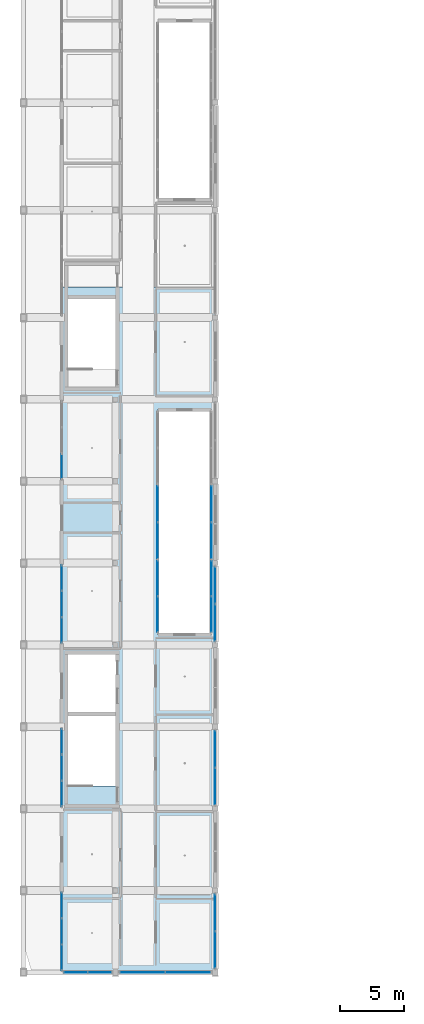
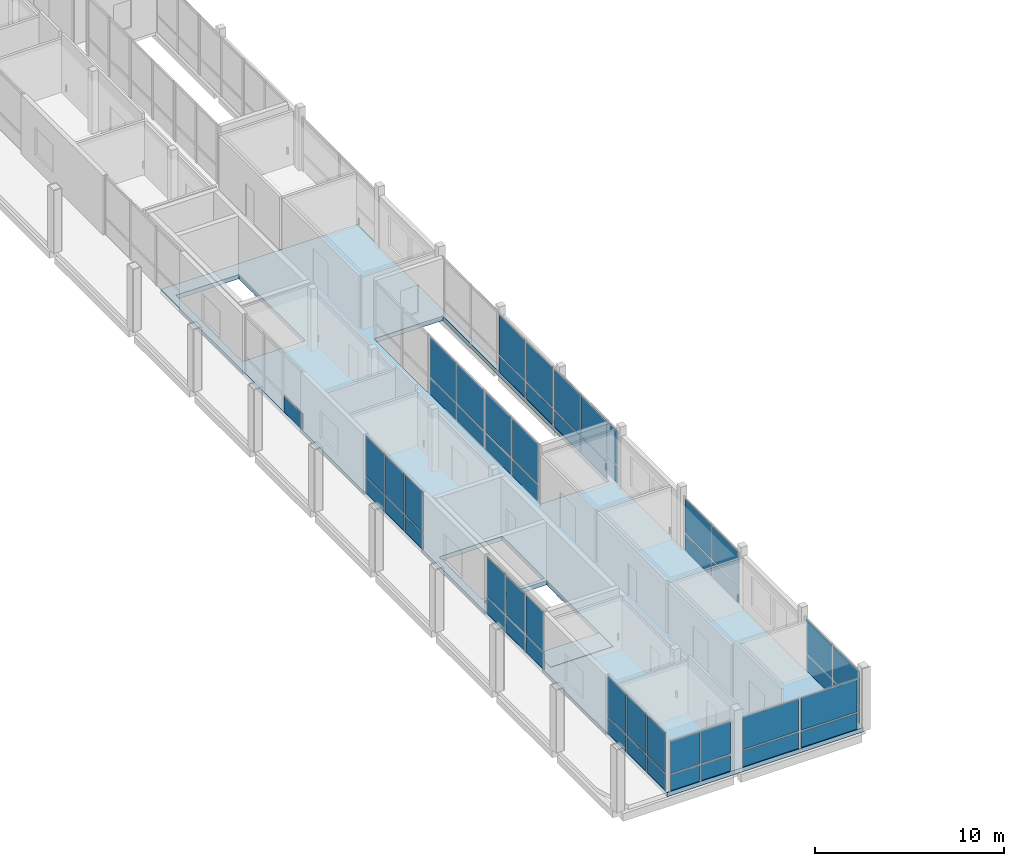
# One storey, part 7 of 24: 55 plates, 2 slabs, 13 elements without a shape of their own.
"""IFC4 building model written with IfcOpenShell, lengths in metres."""

from ifc_helpers import new_model, si_unit, derived_unit, direction, frame, origin, origin_2d, place, context, subcontext, project, spatial, polyline, rectangle, outline, extrude, material, layer, layer_set, type_object, element, aggregate, save


model = new_model("IFC4")

# Units and contexts
model_context = context("Model", 3, precision=1e-05, world=origin(), true_north=direction((0.0, 1.0)))
body_context = subcontext(model_context, "Body", "Model", "MODEL_VIEW")
ifc_project = project(units=[si_unit("LENGTHUNIT", "METRE"), si_unit("AREAUNIT", "SQUARE_METRE"), si_unit("VOLUMEUNIT", "CUBIC_METRE"), si_unit("PLANEANGLEUNIT", "RADIAN"), si_unit("MASSUNIT", "GRAM", prefix="KILO"), derived_unit("THERMALTRANSMITTANCEUNIT", [(si_unit("POWERUNIT", "WATT"), 1), (si_unit("LENGTHUNIT", "METRE"), -2), (si_unit("THERMODYNAMICTEMPERATUREUNIT", "KELVIN"), -1)])], contexts=[model_context])

# Site, building, storey
site_placement = place(None, origin())
site = spatial("IfcSite", under=ifc_project, at=site_placement, CompositionType="ELEMENT")
building_placement = place(site_placement, origin())
building = spatial("IfcBuilding", under=site, at=building_placement, Name="Braskholm Square Health Centre", CompositionType="ELEMENT")
storey_placement = place(building_placement, frame((0.0, 0.0, 21.60009765625)))
storey = spatial("IfcBuildingStorey", under=building, at=storey_placement, Name="L06", CompositionType="ELEMENT", Elevation=21.60009765625)

# Curtain wall, plates
ifc_material_1 = material(Name="Low-E triple insulating glass (VLT 0.64)", Category="glass")
curtain_wall_type_1 = type_object("IfcCurtainWallType", Name="UnitisedCurtainWall6200x3800", PredefinedType="NOTDEFINED", material=ifc_material_1)
curtain_wall_1_placement = place(storey_placement, origin())
curtain_wall_1 = element("IfcCurtainWall", 1, at=curtain_wall_1_placement, inside=storey, type_object=curtain_wall_type_1, Name="West Crown unitised curtain wall CW-L06-0038", PredefinedType="NOTDEFINED")
ifc_material_2 = material(Name="Architectural bronze anodised aluminium", Category="aluminium")
plate_type_1 = type_object("IfcPlateType", Name="CurtainPanelSpandrel1850x1020", PredefinedType="CURTAIN_PANEL", material=ifc_material_2)
plate_1_placement = place(storey_placement, frame((7.199951171875, 9.453369140625, 0.0498046875), z_axis=(0.0, 0.0, 1.0), x_axis=(0.0, -1.0, 0.0)))
plate_1 = element("IfcPlate", 2, at=plate_1_placement, type_object=plate_type_1, Name="CW-L06-0038 spandrel panel 1", PredefinedType="CURTAIN_PANEL", context=body_context, shape_type="SweptSolid", body=[
    extrude(rectangle(XDim=1.93017578125, YDim=0.035888671875, at=origin_2d()), origin(), (0.0, 0.0, 1.0), 1.02001953125),
])
plate_2_placement = place(storey_placement, frame((7.199951171875, 7.39990234375, 0.0498046875), z_axis=(0.0, 0.0, 1.0), x_axis=(0.0, -1.0, 0.0)))
plate_2 = element("IfcPlate", 3, at=plate_2_placement, type_object=plate_type_1, Name="CW-L06-0038 spandrel panel 2", PredefinedType="CURTAIN_PANEL", context=body_context, shape_type="SweptSolid", body=[
    extrude(rectangle(XDim=1.93017578125, YDim=0.035888671875, at=origin_2d()), origin(), (0.0, 0.0, 1.0), 1.02001953125),
])
plate_3_placement = place(storey_placement, frame((7.199951171875, 5.3466796875, 0.0498046875), z_axis=(0.0, 0.0, 1.0), x_axis=(0.0, -1.0, 0.0)))
plate_3 = element("IfcPlate", 4, at=plate_3_placement, type_object=plate_type_1, Name="CW-L06-0038 spandrel panel 3", PredefinedType="CURTAIN_PANEL", context=body_context, shape_type="SweptSolid", body=[
    extrude(rectangle(XDim=1.93017578125, YDim=0.035888671875, at=origin_2d()), origin(), (0.0, 0.0, 1.0), 1.02001953125),
])

curtain_wall_2_placement = place(storey_placement, origin())
curtain_wall_2 = element("IfcCurtainWall", 5, at=curtain_wall_2_placement, inside=storey, type_object=curtain_wall_type_1, Name="West Crown unitised curtain wall CW-L06-0039", PredefinedType="NOTDEFINED")
plate_4_placement = place(storey_placement, frame((7.199951171875, 22.25341796875, 0.0498046875), z_axis=(0.0, 0.0, 1.0), x_axis=(0.0, -1.0, 0.0)))
plate_4 = element("IfcPlate", 6, at=plate_4_placement, type_object=plate_type_1, Name="CW-L06-0039 spandrel panel 1", PredefinedType="CURTAIN_PANEL", context=body_context, shape_type="SweptSolid", body=[
    extrude(rectangle(XDim=1.93017578125, YDim=0.035888671875, at=origin_2d()), origin(), (0.0, 0.0, 1.0), 1.02001953125),
])
plate_5_placement = place(storey_placement, frame((7.199951171875, 20.199951171875, 0.0498046875), z_axis=(0.0, 0.0, 1.0), x_axis=(0.0, -1.0, 0.0)))
plate_5 = element("IfcPlate", 7, at=plate_5_placement, type_object=plate_type_1, Name="CW-L06-0039 spandrel panel 2", PredefinedType="CURTAIN_PANEL", context=body_context, shape_type="SweptSolid", body=[
    extrude(rectangle(XDim=1.93017578125, YDim=0.035888671875, at=origin_2d()), origin(), (0.0, 0.0, 1.0), 1.02001953125),
])
plate_6_placement = place(storey_placement, frame((7.199951171875, 18.146728515625, 0.0498046875), z_axis=(0.0, 0.0, 1.0), x_axis=(0.0, -1.0, 0.0)))
plate_6 = element("IfcPlate", 8, at=plate_6_placement, type_object=plate_type_1, Name="CW-L06-0039 spandrel panel 3", PredefinedType="CURTAIN_PANEL", context=body_context, shape_type="SweptSolid", body=[
    extrude(rectangle(XDim=1.93017578125, YDim=0.035888671875, at=origin_2d()), origin(), (0.0, 0.0, 1.0), 1.02001953125),
])

curtain_wall_3_placement = place(storey_placement, origin())
curtain_wall_3 = element("IfcCurtainWall", 9, at=curtain_wall_3_placement, inside=storey, type_object=curtain_wall_type_1, Name="West Crown unitised curtain wall CW-L06-0040", PredefinedType="NOTDEFINED")
plate_7_placement = place(storey_placement, frame((7.199951171875, 35.05322265625, 0.0498046875), z_axis=(0.0, 0.0, 1.0), x_axis=(0.0, -1.0, 0.0)))
plate_7 = element("IfcPlate", 10, at=plate_7_placement, type_object=plate_type_1, Name="CW-L06-0040 spandrel panel 1", PredefinedType="CURTAIN_PANEL", context=body_context, shape_type="SweptSolid", body=[
    extrude(rectangle(XDim=1.93017578125, YDim=0.035888671875, at=origin_2d()), origin(), (0.0, 0.0, 1.0), 1.02001953125),
])
plate_8_placement = place(storey_placement, frame((7.199951171875, 33.0, 0.0498046875), z_axis=(0.0, 0.0, 1.0), x_axis=(0.0, -1.0, 0.0)))
plate_8 = element("IfcPlate", 11, at=plate_8_placement, type_object=plate_type_1, Name="CW-L06-0040 spandrel panel 2", PredefinedType="CURTAIN_PANEL", context=body_context, shape_type="SweptSolid", body=[
    extrude(rectangle(XDim=1.93017578125, YDim=0.035888671875, at=origin_2d()), origin(), (0.0, 0.0, 1.0), 1.02001953125),
])
plate_9_placement = place(storey_placement, frame((7.199951171875, 30.94677734375, 0.0498046875), z_axis=(0.0, 0.0, 1.0), x_axis=(0.0, -1.0, 0.0)))
plate_9 = element("IfcPlate", 12, at=plate_9_placement, type_object=plate_type_1, Name="CW-L06-0040 spandrel panel 3", PredefinedType="CURTAIN_PANEL", context=body_context, shape_type="SweptSolid", body=[
    extrude(rectangle(XDim=1.93017578125, YDim=0.035888671875, at=origin_2d()), origin(), (0.0, 0.0, 1.0), 1.02001953125),
])

# Curtain wall, plate
curtain_wall_4_placement = place(storey_placement, origin())
curtain_wall_4 = element("IfcCurtainWall", 13, at=curtain_wall_4_placement, inside=storey, type_object=curtain_wall_type_1, Name="West Crown unitised curtain wall CW-L06-0041", PredefinedType="NOTDEFINED")
plate_10_placement = place(storey_placement, frame((7.199951171875, 43.74658203125, 0.0498046875), z_axis=(0.0, 0.0, 1.0), x_axis=(0.0, -1.0, 0.0)))
plate_10 = element("IfcPlate", 14, at=plate_10_placement, type_object=plate_type_1, Name="CW-L06-0041 spandrel panel 3", PredefinedType="CURTAIN_PANEL", context=body_context, shape_type="SweptSolid", body=[
    extrude(rectangle(XDim=1.93017578125, YDim=0.035888671875, at=origin_2d()), origin(), (0.0, 0.0, 1.0), 1.02001953125),
])
aggregate(curtain_wall_4, [plate_10])

# Curtain wall, plates
curtain_wall_type_2 = type_object("IfcCurtainWallType", Name="UnitisedCurtainWall3600x3650", PredefinedType="NOTDEFINED", material=ifc_material_1)
curtain_wall_5_placement = place(storey_placement, origin())
curtain_wall_5 = element("IfcCurtainWall", 15, at=curtain_wall_5_placement, inside=storey, type_object=curtain_wall_type_2, Name="Wing End unitised curtain wall CW-L06-0151", PredefinedType="NOTDEFINED")
plate_11_placement = place(storey_placement, frame((8.29638671875, 4.199951171875, 0.0498046875), z_axis=(0.0, 0.0, 1.0), x_axis=(1.0, 0.0, 0.0)))
plate_11 = element("IfcPlate", 16, at=plate_11_placement, type_object=plate_type_1, Name="CW-L06-0151 spandrel panel 1", PredefinedType="CURTAIN_PANEL", context=body_context, shape_type="SweptSolid", body=[
    extrude(rectangle(XDim=1.776611328125, YDim=0.035888671875, at=origin_2d()), origin(), (0.0, 0.0, 1.0), 1.02001953125),
])
plate_12_placement = place(storey_placement, frame((10.163818359375, 4.199951171875, 0.0498046875), z_axis=(0.0, 0.0, 1.0), x_axis=(1.0, 0.0, 0.0)))
plate_12 = element("IfcPlate", 17, at=plate_12_placement, type_object=plate_type_1, Name="CW-L06-0151 spandrel panel 2", PredefinedType="CURTAIN_PANEL", context=body_context, shape_type="SweptSolid", body=[
    extrude(rectangle(XDim=1.776611328125, YDim=0.035888671875, at=origin_2d()), origin(), (0.0, 0.0, 1.0), 1.02001953125),
])

curtain_wall_type_3 = type_object("IfcCurtainWallType", Name="UnitisedCurtainWall6200x3650", PredefinedType="NOTDEFINED", material=ifc_material_1)
curtain_wall_6_placement = place(storey_placement, origin())
curtain_wall_6 = element("IfcCurtainWall", 18, at=curtain_wall_6_placement, inside=storey, type_object=curtain_wall_type_3, Name="West Valley unitised curtain wall CW-L06-0109", PredefinedType="NOTDEFINED")
plate_type_2 = type_object("IfcPlateType", Name="CurtainPanelSpandrel2750x1020", PredefinedType="CURTAIN_PANEL", material=ifc_material_2)
plate_13_placement = place(storey_placement, frame((19.199951171875, 5.960205078125, 0.0498046875), z_axis=(0.0, 0.0, 1.0), x_axis=(0.0, 1.0, 0.0)))
plate_13 = element("IfcPlate", 19, at=plate_13_placement, type_object=plate_type_2, Name="CW-L06-0109 spandrel panel 1", PredefinedType="CURTAIN_PANEL", context=body_context, shape_type="SweptSolid", body=[
    extrude(rectangle(XDim=2.768310546875, YDim=0.035888671875, at=origin_2d()), origin(), (0.0, 0.0, 1.0), 1.02001953125),
])
plate_14_placement = place(storey_placement, frame((19.199951171875, 8.869873046875, 0.0498046875), z_axis=(0.0, 0.0, 1.0), x_axis=(0.0, 1.0, 0.0)))
plate_14 = element("IfcPlate", 20, at=plate_14_placement, type_object=plate_type_2, Name="CW-L06-0109 spandrel panel 2", PredefinedType="CURTAIN_PANEL", context=body_context, shape_type="SweptSolid", body=[
    extrude(rectangle(XDim=2.768310546875, YDim=0.035888671875, at=origin_2d()), origin(), (0.0, 0.0, 1.0), 1.02001953125),
])

curtain_wall_7_placement = place(storey_placement, origin())
curtain_wall_7 = element("IfcCurtainWall", 21, at=curtain_wall_7_placement, inside=storey, type_object=curtain_wall_type_3, Name="West Valley unitised curtain wall CW-L06-0110", PredefinedType="NOTDEFINED")
plate_15_placement = place(storey_placement, frame((19.199951171875, 18.73779296875, 0.0498046875), z_axis=(0.0, 0.0, 1.0), x_axis=(0.0, 1.0, 0.0)))
plate_15 = element("IfcPlate", 22, at=plate_15_placement, type_object=plate_type_2, Name="CW-L06-0110 spandrel panel 1", PredefinedType="CURTAIN_PANEL", context=body_context, shape_type="SweptSolid", body=[
    extrude(rectangle(XDim=2.782470703125, YDim=0.035888671875, at=origin_2d()), origin(), (0.0, 0.0, 1.0), 1.02001953125),
])
plate_16_placement = place(storey_placement, frame((19.199951171875, 21.662109375, 0.0498046875), z_axis=(0.0, 0.0, 1.0), x_axis=(0.0, 1.0, 0.0)))
plate_16 = element("IfcPlate", 23, at=plate_16_placement, type_object=plate_type_2, Name="CW-L06-0110 spandrel panel 2", PredefinedType="CURTAIN_PANEL", context=body_context, shape_type="SweptSolid", body=[
    extrude(rectangle(XDim=2.782470703125, YDim=0.035888671875, at=origin_2d()), origin(), (0.0, 0.0, 1.0), 1.02001953125),
])

curtain_wall_8_placement = place(storey_placement, origin())
curtain_wall_8 = element("IfcCurtainWall", 24, at=curtain_wall_8_placement, inside=storey, type_object=curtain_wall_type_3, Name="West Valley unitised curtain wall CW-L06-0111", PredefinedType="NOTDEFINED")
plate_17_placement = place(storey_placement, frame((19.199951171875, 31.537841796875, 0.0498046875), z_axis=(0.0, 0.0, 1.0), x_axis=(0.0, 1.0, 0.0)))
plate_17 = element("IfcPlate", 25, at=plate_17_placement, type_object=plate_type_2, Name="CW-L06-0111 spandrel panel 1", PredefinedType="CURTAIN_PANEL", context=body_context, shape_type="SweptSolid", body=[
    extrude(rectangle(XDim=2.782470703125, YDim=0.035888671875, at=origin_2d()), origin(), (0.0, 0.0, 1.0), 1.02001953125),
])
plate_18_placement = place(storey_placement, frame((19.199951171875, 34.462158203125, 0.0498046875), z_axis=(0.0, 0.0, 1.0), x_axis=(0.0, 1.0, 0.0)))
plate_18 = element("IfcPlate", 26, at=plate_18_placement, type_object=plate_type_2, Name="CW-L06-0111 spandrel panel 2", PredefinedType="CURTAIN_PANEL", context=body_context, shape_type="SweptSolid", body=[
    extrude(rectangle(XDim=2.782470703125, YDim=0.035888671875, at=origin_2d()), origin(), (0.0, 0.0, 1.0), 1.02001953125),
])

curtain_wall_type_4 = type_object("IfcCurtainWallType", Name="UnitisedCurtainWall5400x3800", PredefinedType="NOTDEFINED", material=ifc_material_1)
curtain_wall_9_placement = place(storey_placement, origin())
curtain_wall_9 = element("IfcCurtainWall", 27, at=curtain_wall_9_placement, inside=storey, type_object=curtain_wall_type_4, Name="WC1 Court W unitised curtain wall CW-L06-0279", PredefinedType="NOTDEFINED")
plate_19_placement = place(storey_placement, frame((14.699951171875, 32.187744140625, 0.0498046875), z_axis=(0.0, 0.0, 1.0), x_axis=(0.0, 1.0, 0.0)))
plate_19 = element("IfcPlate", 28, at=plate_19_placement, type_object=plate_type_2, Name="CW-L06-0279 spandrel panel 1", PredefinedType="CURTAIN_PANEL", context=body_context, shape_type="SweptSolid", body=[
    extrude(rectangle(XDim=2.689208984375, YDim=0.035888671875, at=origin_2d()), origin(), (0.0, 0.0, 1.0), 1.02001953125),
])
plate_20_placement = place(storey_placement, frame((14.699951171875, 35.014404296875, 0.0498046875), z_axis=(0.0, 0.0, 1.0), x_axis=(0.0, 1.0, 0.0)))
plate_20 = element("IfcPlate", 29, at=plate_20_placement, type_object=plate_type_2, Name="CW-L06-0279 spandrel panel 2", PredefinedType="CURTAIN_PANEL", context=body_context, shape_type="SweptSolid", body=[
    extrude(rectangle(XDim=2.689208984375, YDim=0.035888671875, at=origin_2d()), origin(), (0.0, 0.0, 1.0), 1.02001953125),
])

curtain_wall_10_placement = place(storey_placement, origin())
curtain_wall_10 = element("IfcCurtainWall", 30, at=curtain_wall_10_placement, inside=storey, type_object=curtain_wall_type_4, Name="WC1 Court E unitised curtain wall CW-L06-0280", PredefinedType="NOTDEFINED")
plate_21_placement = place(storey_placement, frame((18.89990234375, 35.014404296875, 0.0498046875), z_axis=(0.0, 0.0, 1.0), x_axis=(0.0, -1.0, 0.0)))
plate_21 = element("IfcPlate", 31, at=plate_21_placement, type_object=plate_type_2, Name="CW-L06-0280 spandrel panel 1", PredefinedType="CURTAIN_PANEL", context=body_context, shape_type="SweptSolid", body=[
    extrude(rectangle(XDim=2.689208984375, YDim=0.035888671875, at=origin_2d()), origin(), (0.0, 0.0, 1.0), 1.02001953125),
])
plate_22_placement = place(storey_placement, frame((18.89990234375, 32.187744140625, 0.0498046875), z_axis=(0.0, 0.0, 1.0), x_axis=(0.0, -1.0, 0.0)))
plate_22 = element("IfcPlate", 32, at=plate_22_placement, type_object=plate_type_2, Name="CW-L06-0280 spandrel panel 2", PredefinedType="CURTAIN_PANEL", context=body_context, shape_type="SweptSolid", body=[
    extrude(rectangle(XDim=2.689208984375, YDim=0.035888671875, at=origin_2d()), origin(), (0.0, 0.0, 1.0), 1.02001953125),
])

curtain_wall_11_placement = place(storey_placement, origin())
curtain_wall_11 = element("IfcCurtainWall", 33, at=curtain_wall_11_placement, inside=storey, type_object=curtain_wall_type_1, Name="WC1 Court W unitised curtain wall CW-L06-0281", PredefinedType="NOTDEFINED")
plate_23_placement = place(storey_placement, frame((14.699951171875, 37.95361328125, 0.0498046875), z_axis=(0.0, 0.0, 1.0), x_axis=(0.0, 1.0, 0.0)))
plate_23 = element("IfcPlate", 34, at=plate_23_placement, type_object=plate_type_2, Name="CW-L06-0281 spandrel panel 1", PredefinedType="CURTAIN_PANEL", context=body_context, shape_type="SweptSolid", body=[
    extrude(rectangle(XDim=2.752197265625, YDim=0.035888671875, at=origin_2d()), origin(), (0.0, 0.0, 1.0), 1.02001953125),
])
plate_24_placement = place(storey_placement, frame((14.699951171875, 40.846435546875, 0.0498046875), z_axis=(0.0, 0.0, 1.0), x_axis=(0.0, 1.0, 0.0)))
plate_24 = element("IfcPlate", 35, at=plate_24_placement, type_object=plate_type_2, Name="CW-L06-0281 spandrel panel 2", PredefinedType="CURTAIN_PANEL", context=body_context, shape_type="SweptSolid", body=[
    extrude(rectangle(XDim=2.752197265625, YDim=0.035888671875, at=origin_2d()), origin(), (0.0, 0.0, 1.0), 1.02001953125),
])

curtain_wall_12_placement = place(storey_placement, origin())
curtain_wall_12 = element("IfcCurtainWall", 36, at=curtain_wall_12_placement, inside=storey, type_object=curtain_wall_type_1, Name="WC1 Court E unitised curtain wall CW-L06-0282", PredefinedType="NOTDEFINED")
plate_25_placement = place(storey_placement, frame((18.89990234375, 40.846435546875, 0.0498046875), z_axis=(0.0, 0.0, 1.0), x_axis=(0.0, -1.0, 0.0)))
plate_25 = element("IfcPlate", 37, at=plate_25_placement, type_object=plate_type_2, Name="CW-L06-0282 spandrel panel 1", PredefinedType="CURTAIN_PANEL", context=body_context, shape_type="SweptSolid", body=[
    extrude(rectangle(XDim=2.752197265625, YDim=0.035888671875, at=origin_2d()), origin(), (0.0, 0.0, 1.0), 1.02001953125),
])
plate_26_placement = place(storey_placement, frame((18.89990234375, 37.95361328125, 0.0498046875), z_axis=(0.0, 0.0, 1.0), x_axis=(0.0, -1.0, 0.0)))
plate_26 = element("IfcPlate", 38, at=plate_26_placement, type_object=plate_type_2, Name="CW-L06-0282 spandrel panel 2", PredefinedType="CURTAIN_PANEL", context=body_context, shape_type="SweptSolid", body=[
    extrude(rectangle(XDim=2.752197265625, YDim=0.035888671875, at=origin_2d()), origin(), (0.0, 0.0, 1.0), 1.02001953125),
])

curtain_wall_13_placement = place(storey_placement, origin())
curtain_wall_13 = element("IfcCurtainWall", 39, at=curtain_wall_13_placement, inside=storey, type_object=curtain_wall_type_3, Name="Wing End unitised curtain wall CW-L06-0152", PredefinedType="NOTDEFINED")
plate_type_3 = type_object("IfcPlateType", Name="CurtainPanelSpandrel3150x1020", PredefinedType="CURTAIN_PANEL", material=ifc_material_2)
plate_27_placement = place(storey_placement, frame((13.51171875, 4.199951171875, 0.0498046875), z_axis=(0.0, 0.0, 1.0), x_axis=(1.0, 0.0, 0.0)))
plate_27 = element("IfcPlate", 40, at=plate_27_placement, type_object=plate_type_3, Name="CW-L06-0152 spandrel panel 1", PredefinedType="CURTAIN_PANEL", context=body_context, shape_type="SweptSolid", body=[
    extrude(rectangle(XDim=3.40283203125, YDim=0.035888671875, at=origin_2d()), origin(), (0.0, 0.0, 1.0), 1.02001953125),
])
plate_28_placement = place(storey_placement, frame((17.08837890625, 4.199951171875, 0.0498046875), z_axis=(0.0, 0.0, 1.0), x_axis=(1.0, 0.0, 0.0)))
plate_28 = element("IfcPlate", 41, at=plate_28_placement, type_object=plate_type_3, Name="CW-L06-0152 spandrel panel 2", PredefinedType="CURTAIN_PANEL", context=body_context, shape_type="SweptSolid", body=[
    extrude(rectangle(XDim=3.40283203125, YDim=0.035888671875, at=origin_2d()), origin(), (0.0, 0.0, 1.0), 1.02001953125),
])

# Plate
plate_type_4 = type_object("IfcPlateType", Name="CurtainPanelVision1850x2120", PredefinedType="CURTAIN_PANEL", material=ifc_material_1)
plate_29_placement = place(storey_placement, frame((8.29638671875, 4.199951171875, 1.169921875), z_axis=(0.0, 0.0, 1.0), x_axis=(1.0, 0.0, 0.0)))
plate_29 = element("IfcPlate", 42, at=plate_29_placement, type_object=plate_type_4, Name="CW-L06-0151 vision glass panel 1", PredefinedType="CURTAIN_PANEL", context=body_context, shape_type="SweptSolid", body=[
    extrude(rectangle(XDim=1.776611328125, YDim=0.035888671875, at=origin_2d()), origin(), (0.0, 0.0, 1.0), 2.06005859375),
])

plate_30_placement = place(storey_placement, frame((10.163818359375, 4.199951171875, 1.169921875), z_axis=(0.0, 0.0, 1.0), x_axis=(1.0, 0.0, 0.0)))
plate_30 = element("IfcPlate", 43, at=plate_30_placement, type_object=plate_type_4, Name="CW-L06-0151 vision glass panel 2", PredefinedType="CURTAIN_PANEL", context=body_context, shape_type="SweptSolid", body=[
    extrude(rectangle(XDim=1.776611328125, YDim=0.035888671875, at=origin_2d()), origin(), (0.0, 0.0, 1.0), 2.06005859375),
])

aggregate(curtain_wall_5, [plate_11, plate_29, plate_12, plate_30])

plate_type_5 = type_object("IfcPlateType", Name="CurtainPanelVision1850x2520", PredefinedType="CURTAIN_PANEL", material=ifc_material_1)
plate_31_placement = place(storey_placement, frame((7.199951171875, 9.453369140625, 1.169921875), z_axis=(0.0, 0.0, 1.0), x_axis=(0.0, -1.0, 0.0)))
plate_31 = element("IfcPlate", 44, at=plate_31_placement, type_object=plate_type_5, Name="CW-L06-0038 vision glass panel 1", PredefinedType="CURTAIN_PANEL", context=body_context, shape_type="SweptSolid", body=[
    extrude(rectangle(XDim=1.93017578125, YDim=0.035888671875, at=origin_2d()), origin(), (0.0, 0.0, 1.0), 2.56005859375),
])

plate_32_placement = place(storey_placement, frame((7.199951171875, 7.39990234375, 1.169921875), z_axis=(0.0, 0.0, 1.0), x_axis=(0.0, -1.0, 0.0)))
plate_32 = element("IfcPlate", 45, at=plate_32_placement, type_object=plate_type_5, Name="CW-L06-0038 vision glass panel 2", PredefinedType="CURTAIN_PANEL", context=body_context, shape_type="SweptSolid", body=[
    extrude(rectangle(XDim=1.93017578125, YDim=0.035888671875, at=origin_2d()), origin(), (0.0, 0.0, 1.0), 2.56005859375),
])

plate_33_placement = place(storey_placement, frame((7.199951171875, 5.3466796875, 1.169921875), z_axis=(0.0, 0.0, 1.0), x_axis=(0.0, -1.0, 0.0)))
plate_33 = element("IfcPlate", 46, at=plate_33_placement, type_object=plate_type_5, Name="CW-L06-0038 vision glass panel 3", PredefinedType="CURTAIN_PANEL", context=body_context, shape_type="SweptSolid", body=[
    extrude(rectangle(XDim=1.93017578125, YDim=0.035888671875, at=origin_2d()), origin(), (0.0, 0.0, 1.0), 2.56005859375),
])

aggregate(curtain_wall_1, [plate_1, plate_31, plate_2, plate_32, plate_3, plate_33])

plate_34_placement = place(storey_placement, frame((7.199951171875, 22.25341796875, 1.169921875), z_axis=(0.0, 0.0, 1.0), x_axis=(0.0, -1.0, 0.0)))
plate_34 = element("IfcPlate", 47, at=plate_34_placement, type_object=plate_type_5, Name="CW-L06-0039 vision glass panel 1", PredefinedType="CURTAIN_PANEL", context=body_context, shape_type="SweptSolid", body=[
    extrude(rectangle(XDim=1.93017578125, YDim=0.035888671875, at=origin_2d()), origin(), (0.0, 0.0, 1.0), 2.56005859375),
])

plate_35_placement = place(storey_placement, frame((7.199951171875, 20.199951171875, 1.169921875), z_axis=(0.0, 0.0, 1.0), x_axis=(0.0, -1.0, 0.0)))
plate_35 = element("IfcPlate", 48, at=plate_35_placement, type_object=plate_type_5, Name="CW-L06-0039 vision glass panel 2", PredefinedType="CURTAIN_PANEL", context=body_context, shape_type="SweptSolid", body=[
    extrude(rectangle(XDim=1.93017578125, YDim=0.035888671875, at=origin_2d()), origin(), (0.0, 0.0, 1.0), 2.56005859375),
])

plate_36_placement = place(storey_placement, frame((7.199951171875, 18.146728515625, 1.169921875), z_axis=(0.0, 0.0, 1.0), x_axis=(0.0, -1.0, 0.0)))
plate_36 = element("IfcPlate", 49, at=plate_36_placement, type_object=plate_type_5, Name="CW-L06-0039 vision glass panel 3", PredefinedType="CURTAIN_PANEL", context=body_context, shape_type="SweptSolid", body=[
    extrude(rectangle(XDim=1.93017578125, YDim=0.035888671875, at=origin_2d()), origin(), (0.0, 0.0, 1.0), 2.56005859375),
])

aggregate(curtain_wall_2, [plate_4, plate_34, plate_5, plate_35, plate_6, plate_36])

plate_37_placement = place(storey_placement, frame((7.199951171875, 35.05322265625, 1.169921875), z_axis=(0.0, 0.0, 1.0), x_axis=(0.0, -1.0, 0.0)))
plate_37 = element("IfcPlate", 50, at=plate_37_placement, type_object=plate_type_5, Name="CW-L06-0040 vision glass panel 1", PredefinedType="CURTAIN_PANEL", context=body_context, shape_type="SweptSolid", body=[
    extrude(rectangle(XDim=1.93017578125, YDim=0.035888671875, at=origin_2d()), origin(), (0.0, 0.0, 1.0), 2.56005859375),
])

plate_38_placement = place(storey_placement, frame((7.199951171875, 33.0, 1.169921875), z_axis=(0.0, 0.0, 1.0), x_axis=(0.0, -1.0, 0.0)))
plate_38 = element("IfcPlate", 51, at=plate_38_placement, type_object=plate_type_5, Name="CW-L06-0040 vision glass panel 2", PredefinedType="CURTAIN_PANEL", context=body_context, shape_type="SweptSolid", body=[
    extrude(rectangle(XDim=1.93017578125, YDim=0.035888671875, at=origin_2d()), origin(), (0.0, 0.0, 1.0), 2.56005859375),
])

plate_39_placement = place(storey_placement, frame((7.199951171875, 30.94677734375, 1.169921875), z_axis=(0.0, 0.0, 1.0), x_axis=(0.0, -1.0, 0.0)))
plate_39 = element("IfcPlate", 52, at=plate_39_placement, type_object=plate_type_5, Name="CW-L06-0040 vision glass panel 3", PredefinedType="CURTAIN_PANEL", context=body_context, shape_type="SweptSolid", body=[
    extrude(rectangle(XDim=1.93017578125, YDim=0.035888671875, at=origin_2d()), origin(), (0.0, 0.0, 1.0), 2.56005859375),
])

aggregate(curtain_wall_3, [plate_7, plate_37, plate_8, plate_38, plate_9, plate_39])

plate_type_6 = type_object("IfcPlateType", Name="CurtainPanelVision2750x2120", PredefinedType="CURTAIN_PANEL", material=ifc_material_1)
plate_40_placement = place(storey_placement, frame((19.199951171875, 5.960205078125, 1.169921875), z_axis=(0.0, 0.0, 1.0), x_axis=(0.0, 1.0, 0.0)))
plate_40 = element("IfcPlate", 53, at=plate_40_placement, type_object=plate_type_6, Name="CW-L06-0109 vision glass panel 1", PredefinedType="CURTAIN_PANEL", context=body_context, shape_type="SweptSolid", body=[
    extrude(rectangle(XDim=2.768310546875, YDim=0.035888671875, at=origin_2d()), origin(), (0.0, 0.0, 1.0), 2.179931640625),
])

plate_41_placement = place(storey_placement, frame((19.199951171875, 8.869873046875, 1.169921875), z_axis=(0.0, 0.0, 1.0), x_axis=(0.0, 1.0, 0.0)))
plate_41 = element("IfcPlate", 54, at=plate_41_placement, type_object=plate_type_6, Name="CW-L06-0109 vision glass panel 2", PredefinedType="CURTAIN_PANEL", context=body_context, shape_type="SweptSolid", body=[
    extrude(rectangle(XDim=2.768310546875, YDim=0.035888671875, at=origin_2d()), origin(), (0.0, 0.0, 1.0), 2.179931640625),
])

aggregate(curtain_wall_6, [plate_13, plate_40, plate_14, plate_41])

plate_42_placement = place(storey_placement, frame((19.199951171875, 18.73779296875, 1.169921875), z_axis=(0.0, 0.0, 1.0), x_axis=(0.0, 1.0, 0.0)))
plate_42 = element("IfcPlate", 55, at=plate_42_placement, type_object=plate_type_6, Name="CW-L06-0110 vision glass panel 1", PredefinedType="CURTAIN_PANEL", context=body_context, shape_type="SweptSolid", body=[
    extrude(rectangle(XDim=2.782470703125, YDim=0.035888671875, at=origin_2d()), origin(), (0.0, 0.0, 1.0), 2.179931640625),
])

plate_43_placement = place(storey_placement, frame((19.199951171875, 21.662109375, 1.169921875), z_axis=(0.0, 0.0, 1.0), x_axis=(0.0, 1.0, 0.0)))
plate_43 = element("IfcPlate", 56, at=plate_43_placement, type_object=plate_type_6, Name="CW-L06-0110 vision glass panel 2", PredefinedType="CURTAIN_PANEL", context=body_context, shape_type="SweptSolid", body=[
    extrude(rectangle(XDim=2.782470703125, YDim=0.035888671875, at=origin_2d()), origin(), (0.0, 0.0, 1.0), 2.179931640625),
])

aggregate(curtain_wall_7, [plate_15, plate_42, plate_16, plate_43])

plate_44_placement = place(storey_placement, frame((19.199951171875, 31.537841796875, 1.169921875), z_axis=(0.0, 0.0, 1.0), x_axis=(0.0, 1.0, 0.0)))
plate_44 = element("IfcPlate", 57, at=plate_44_placement, type_object=plate_type_6, Name="CW-L06-0111 vision glass panel 1", PredefinedType="CURTAIN_PANEL", context=body_context, shape_type="SweptSolid", body=[
    extrude(rectangle(XDim=2.782470703125, YDim=0.035888671875, at=origin_2d()), origin(), (0.0, 0.0, 1.0), 2.179931640625),
])

plate_45_placement = place(storey_placement, frame((19.199951171875, 34.462158203125, 1.169921875), z_axis=(0.0, 0.0, 1.0), x_axis=(0.0, 1.0, 0.0)))
plate_45 = element("IfcPlate", 58, at=plate_45_placement, type_object=plate_type_6, Name="CW-L06-0111 vision glass panel 2", PredefinedType="CURTAIN_PANEL", context=body_context, shape_type="SweptSolid", body=[
    extrude(rectangle(XDim=2.782470703125, YDim=0.035888671875, at=origin_2d()), origin(), (0.0, 0.0, 1.0), 2.179931640625),
])

aggregate(curtain_wall_8, [plate_17, plate_44, plate_18, plate_45])

plate_type_7 = type_object("IfcPlateType", Name="CurtainPanelVision2750x2520", PredefinedType="CURTAIN_PANEL", material=ifc_material_1)
plate_46_placement = place(storey_placement, frame((14.699951171875, 32.187744140625, 1.169921875), z_axis=(0.0, 0.0, 1.0), x_axis=(0.0, 1.0, 0.0)))
plate_46 = element("IfcPlate", 59, at=plate_46_placement, type_object=plate_type_7, Name="CW-L06-0279 vision glass panel 1", PredefinedType="CURTAIN_PANEL", context=body_context, shape_type="SweptSolid", body=[
    extrude(rectangle(XDim=2.689208984375, YDim=0.035888671875, at=origin_2d()), origin(), (0.0, 0.0, 1.0), 2.56005859375),
])

plate_47_placement = place(storey_placement, frame((14.699951171875, 35.014404296875, 1.169921875), z_axis=(0.0, 0.0, 1.0), x_axis=(0.0, 1.0, 0.0)))
plate_47 = element("IfcPlate", 60, at=plate_47_placement, type_object=plate_type_7, Name="CW-L06-0279 vision glass panel 2", PredefinedType="CURTAIN_PANEL", context=body_context, shape_type="SweptSolid", body=[
    extrude(rectangle(XDim=2.689208984375, YDim=0.035888671875, at=origin_2d()), origin(), (0.0, 0.0, 1.0), 2.56005859375),
])

aggregate(curtain_wall_9, [plate_19, plate_46, plate_20, plate_47])

plate_48_placement = place(storey_placement, frame((18.89990234375, 35.014404296875, 1.169921875), z_axis=(0.0, 0.0, 1.0), x_axis=(0.0, -1.0, 0.0)))
plate_48 = element("IfcPlate", 61, at=plate_48_placement, type_object=plate_type_7, Name="CW-L06-0280 vision glass panel 1", PredefinedType="CURTAIN_PANEL", context=body_context, shape_type="SweptSolid", body=[
    extrude(rectangle(XDim=2.689208984375, YDim=0.035888671875, at=origin_2d()), origin(), (0.0, 0.0, 1.0), 2.56005859375),
])

plate_49_placement = place(storey_placement, frame((18.89990234375, 32.187744140625, 1.169921875), z_axis=(0.0, 0.0, 1.0), x_axis=(0.0, -1.0, 0.0)))
plate_49 = element("IfcPlate", 62, at=plate_49_placement, type_object=plate_type_7, Name="CW-L06-0280 vision glass panel 2", PredefinedType="CURTAIN_PANEL", context=body_context, shape_type="SweptSolid", body=[
    extrude(rectangle(XDim=2.689208984375, YDim=0.035888671875, at=origin_2d()), origin(), (0.0, 0.0, 1.0), 2.56005859375),
])

aggregate(curtain_wall_10, [plate_21, plate_48, plate_22, plate_49])

plate_50_placement = place(storey_placement, frame((14.699951171875, 37.95361328125, 1.169921875), z_axis=(0.0, 0.0, 1.0), x_axis=(0.0, 1.0, 0.0)))
plate_50 = element("IfcPlate", 63, at=plate_50_placement, type_object=plate_type_7, Name="CW-L06-0281 vision glass panel 1", PredefinedType="CURTAIN_PANEL", context=body_context, shape_type="SweptSolid", body=[
    extrude(rectangle(XDim=2.752197265625, YDim=0.035888671875, at=origin_2d()), origin(), (0.0, 0.0, 1.0), 2.56005859375),
])

plate_51_placement = place(storey_placement, frame((14.699951171875, 40.846435546875, 1.169921875), z_axis=(0.0, 0.0, 1.0), x_axis=(0.0, 1.0, 0.0)))
plate_51 = element("IfcPlate", 64, at=plate_51_placement, type_object=plate_type_7, Name="CW-L06-0281 vision glass panel 2", PredefinedType="CURTAIN_PANEL", context=body_context, shape_type="SweptSolid", body=[
    extrude(rectangle(XDim=2.752197265625, YDim=0.035888671875, at=origin_2d()), origin(), (0.0, 0.0, 1.0), 2.56005859375),
])

aggregate(curtain_wall_11, [plate_23, plate_50, plate_24, plate_51])

plate_52_placement = place(storey_placement, frame((18.89990234375, 40.846435546875, 1.169921875), z_axis=(0.0, 0.0, 1.0), x_axis=(0.0, -1.0, 0.0)))
plate_52 = element("IfcPlate", 65, at=plate_52_placement, type_object=plate_type_7, Name="CW-L06-0282 vision glass panel 1", PredefinedType="CURTAIN_PANEL", context=body_context, shape_type="SweptSolid", body=[
    extrude(rectangle(XDim=2.752197265625, YDim=0.035888671875, at=origin_2d()), origin(), (0.0, 0.0, 1.0), 2.56005859375),
])

plate_53_placement = place(storey_placement, frame((18.89990234375, 37.95361328125, 1.169921875), z_axis=(0.0, 0.0, 1.0), x_axis=(0.0, -1.0, 0.0)))
plate_53 = element("IfcPlate", 66, at=plate_53_placement, type_object=plate_type_7, Name="CW-L06-0282 vision glass panel 2", PredefinedType="CURTAIN_PANEL", context=body_context, shape_type="SweptSolid", body=[
    extrude(rectangle(XDim=2.752197265625, YDim=0.035888671875, at=origin_2d()), origin(), (0.0, 0.0, 1.0), 2.56005859375),
])

aggregate(curtain_wall_12, [plate_25, plate_52, plate_26, plate_53])

plate_type_8 = type_object("IfcPlateType", Name="CurtainPanelVision3150x2120", PredefinedType="CURTAIN_PANEL", material=ifc_material_1)
plate_54_placement = place(storey_placement, frame((13.51171875, 4.199951171875, 1.169921875), z_axis=(0.0, 0.0, 1.0), x_axis=(1.0, 0.0, 0.0)))
plate_54 = element("IfcPlate", 67, at=plate_54_placement, type_object=plate_type_8, Name="CW-L06-0152 vision glass panel 1", PredefinedType="CURTAIN_PANEL", context=body_context, shape_type="SweptSolid", body=[
    extrude(rectangle(XDim=3.40283203125, YDim=0.035888671875, at=origin_2d()), origin(), (0.0, 0.0, 1.0), 2.06005859375),
])

plate_55_placement = place(storey_placement, frame((17.08837890625, 4.199951171875, 1.169921875), z_axis=(0.0, 0.0, 1.0), x_axis=(1.0, 0.0, 0.0)))
plate_55 = element("IfcPlate", 68, at=plate_55_placement, type_object=plate_type_8, Name="CW-L06-0152 vision glass panel 2", PredefinedType="CURTAIN_PANEL", context=body_context, shape_type="SweptSolid", body=[
    extrude(rectangle(XDim=3.40283203125, YDim=0.035888671875, at=origin_2d()), origin(), (0.0, 0.0, 1.0), 2.06005859375),
])

aggregate(curtain_wall_13, [plate_27, plate_54, plate_28, plate_55])

# Slabs
ifc_material_3 = material(Name="Concrete C35/45 (f'c = 35 MPa)", Category="concrete")
ifc_layer_1 = layer(ifc_material_3, 0.179931640625)
ifc_layer_set_1 = layer_set([ifc_layer_1], Name="Concrete C35/45 (f'c = 35 MPa)")
slab_type_1 = type_object("IfcSlabType", Name="StairLandingSlab180", PredefinedType="LANDING", material=ifc_layer_set_1)
slab_1_placement = place(storey_placement, frame((0.0, 0.0, -0.18017578125)))
element("IfcSlab", 69, at=slab_1_placement, inside=storey, type_object=slab_type_1, Name="Stair ST-01 top arrival landing L06", PredefinedType="LANDING", context=body_context, shape_type="SweptSolid", body=[
    extrude(outline(polyline([(7.64990234375, 17.300048828125), (11.449951171875, 17.300048828125), (11.449951171875, 18.760009765625), (7.64990234375, 18.760009765625), (7.64990234375, 17.300048828125)])), origin(), (0.0, 0.0, 1.0), 0.18017578125),
])
ifc_layer_2 = layer(ifc_material_3, 0.280029296875)
ifc_layer_set_2 = layer_set([ifc_layer_2], Name="Concrete C35/45 (f'c = 35 MPa)")
slab_type_2 = type_object("IfcSlabType", Name="UpperCrownFlatSlab280", PredefinedType="FLOOR", material=ifc_layer_set_2)
slab_2_placement = place(storey_placement, frame((0.0, 0.0, -0.280029296875)))
element("IfcSlab", 70, at=slab_2_placement, inside=storey, type_object=slab_type_2, Name="Level L06 V4W West South set-back top floor slab", PredefinedType="FLOOR", context=body_context, shape_type="SweptSolid", body=[
    extrude(outline(polyline([(7.199951171875, 4.199951171875), (19.199951171875, 4.199951171875), (19.199951171875, 57.800048828125), (7.199951171875, 57.800048828125), (7.199951171875, 4.199951171875)]), holes=[polyline([(7.6298828125, 17.280029296875), (11.469970703125, 17.280029296875), (11.469970703125, 24.320068359375), (7.6298828125, 24.320068359375), (7.6298828125, 17.280029296875)]), polyline([(7.6298828125, 24.550048828125), (11.469970703125, 24.550048828125), (11.469970703125, 29.050048828125), (7.6298828125, 29.050048828125), (7.6298828125, 24.550048828125)]), polyline([(7.6298828125, 49.8798828125), (11.469970703125, 49.8798828125), (11.469970703125, 56.919921875), (7.6298828125, 56.919921875), (7.6298828125, 49.8798828125)]), polyline([(14.699951171875, 30.60009765625), (18.89990234375, 30.60009765625), (18.89990234375, 48.199951171875), (14.699951171875, 48.199951171875), (14.699951171875, 30.60009765625)])]), origin(), (0.0, 0.0, 1.0), 0.280029296875),
])

save(model, "model.ifc")
